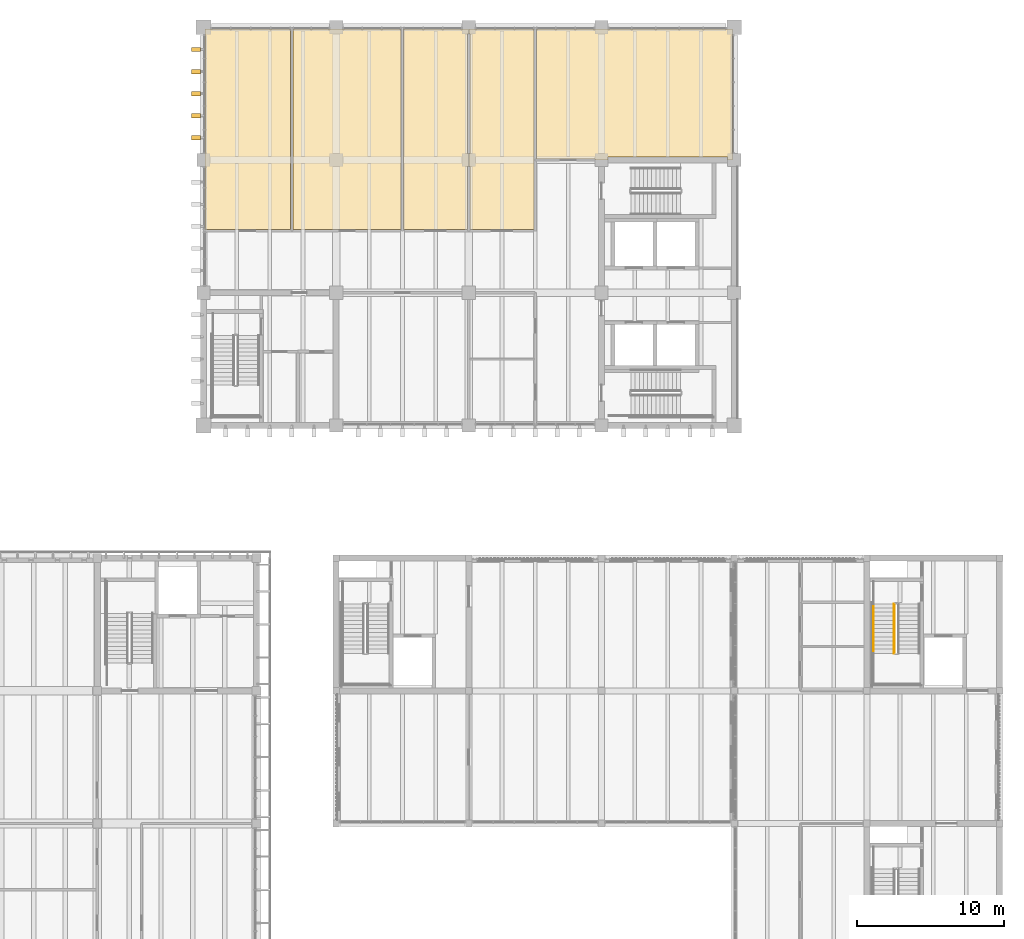
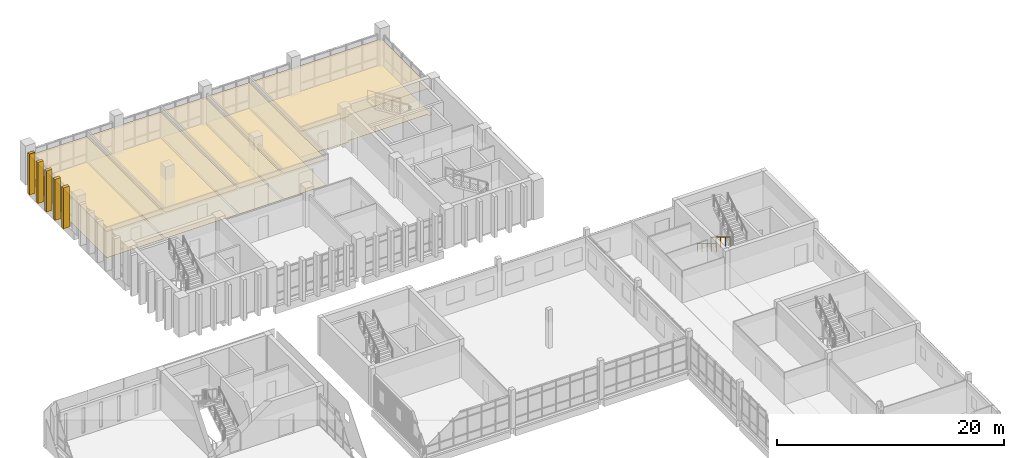
# One storey, part 87 of 88: 10 coverings, 5 shading devices, 2 railings.
"""IFC4 building model written with IfcOpenShell, lengths in metres."""

from ifc_helpers import new_model, si_unit, direction, frame, origin, origin_2d, place, context, subcontext, project, spatial, polyline, circle, outline, extrude, source, transform, mapped, material, layer, layer_set, type_object, element, save


model = new_model("IFC4")

# Units and contexts
model_context = context("Model", 3, precision=1e-05, world=origin(), true_north=direction((0.0, 1.0)))
body_context = subcontext(model_context, "Body", "Model", "MODEL_VIEW")
ifc_project = project(units=[si_unit("LENGTHUNIT", "METRE"), si_unit("AREAUNIT", "SQUARE_METRE"), si_unit("VOLUMEUNIT", "CUBIC_METRE"), si_unit("PLANEANGLEUNIT", "RADIAN"), si_unit("MASSUNIT", "GRAM", prefix="KILO")], contexts=[model_context])

# Site, building, storey
site_placement = place(None, origin())
site = spatial("IfcSite", under=ifc_project, at=site_placement, CompositionType="ELEMENT")
building_placement = place(site_placement, origin())
building = spatial("IfcBuilding", under=site, at=building_placement, Name="Merrow Basin Faculty of Sciences", CompositionType="ELEMENT")
storey_placement = place(building_placement, frame((0.0, 0.0, 9.0)))
storey = spatial("IfcBuildingStorey", under=building, at=storey_placement, Name="L02", CompositionType="ELEMENT", Elevation=9.0)

# Coverings
ifc_material_1 = material(Name="Carpet tile floor")
ifc_layer_1 = layer(ifc_material_1, 0.02001953125)
ifc_layer_set_1 = layer_set([ifc_layer_1], Name="Carpet tile floor")
covering_type_1 = type_object("IfcCoveringType", Name="Carpet tile floor", PredefinedType="FLOORING", material=ifc_layer_set_1)
covering_1_placement = place(storey_placement, origin())
element("IfcCovering", 1, at=covering_1_placement, inside=storey, type_object=covering_type_1, Name="Floor finish L02-T-019", PredefinedType="FLOORING", context=body_context, shape_type="SweptSolid", body=[
    extrude(outline(polyline([(53.889892578125, 168.889892578125), (53.889892578125, 160.010009765625), (53.56005859375, 160.010009765625), (53.56005859375, 160.2099609375), (45.43994140625, 160.2099609375), (45.43994140625, 160.010009765625), (44.56005859375, 160.010009765625), (44.56005859375, 160.0849609375), (40.5849609375, 160.0849609375), (40.5849609375, 168.889892578125), (53.889892578125, 168.889892578125)])), origin(), (0.0, 0.0, 1.0), 0.02001953125),
])
ifc_material_2 = material(Name="Laboratory sheet vinyl floor")
ifc_layer_2 = layer(ifc_material_2, 0.02001953125)
ifc_layer_set_2 = layer_set([ifc_layer_2], Name="Laboratory sheet vinyl floor")
covering_type_2 = type_object("IfcCoveringType", Name="Laboratory sheet vinyl floor", PredefinedType="FLOORING", material=ifc_layer_set_2)
covering_2_placement = place(storey_placement, origin())
element("IfcCovering", 2, at=covering_2_placement, inside=storey, type_object=covering_type_2, Name="Floor finish L02-T-014", PredefinedType="FLOORING", context=body_context, shape_type="SweptSolid", body=[
    extrude(outline(polyline([(18.110107421875, 168.889892578125), (23.9150390625, 168.889892578125), (23.9150390625, 155.284912109375), (18.110107421875, 155.284912109375), (18.110107421875, 168.889892578125)])), origin(), (0.0, 0.0, 1.0), 0.02001953125),
])
covering_3_placement = place(storey_placement, origin())
element("IfcCovering", 3, at=covering_3_placement, inside=storey, type_object=covering_type_2, Name="Floor finish L02-T-015", PredefinedType="FLOORING", context=body_context, shape_type="SweptSolid", body=[
    extrude(outline(polyline([(31.4150390625, 168.889892578125), (31.4150390625, 155.284912109375), (24.0849609375, 155.284912109375), (24.0849609375, 168.889892578125), (31.4150390625, 168.889892578125)])), origin(), (0.0, 0.0, 1.0), 0.02001953125),
])
covering_4_placement = place(storey_placement, origin())
element("IfcCovering", 4, at=covering_4_placement, inside=storey, type_object=covering_type_2, Name="Floor finish L02-T-016", PredefinedType="FLOORING", context=body_context, shape_type="SweptSolid", body=[
    extrude(outline(polyline([(35.989990234375, 168.889892578125), (35.989990234375, 168.56005859375), (35.9150390625, 168.56005859375), (35.9150390625, 160.43994140625), (35.989990234375, 160.43994140625), (35.989990234375, 159.56005859375), (35.9150390625, 159.56005859375), (35.9150390625, 155.284912109375), (31.5849609375, 155.284912109375), (31.5849609375, 168.889892578125), (35.989990234375, 168.889892578125)])), origin(), (0.0, 0.0, 1.0), 0.02001953125),
])
covering_5_placement = place(storey_placement, origin())
element("IfcCovering", 5, at=covering_5_placement, inside=storey, type_object=covering_type_2, Name="Floor finish L02-T-017", PredefinedType="FLOORING", context=body_context, shape_type="SweptSolid", body=[
    extrude(outline(polyline([(36.010009765625, 160.43994140625), (36.0849609375, 160.43994140625), (36.0849609375, 168.56005859375), (36.010009765625, 168.56005859375), (36.010009765625, 168.889892578125), (40.4150390625, 168.889892578125), (40.4150390625, 155.284912109375), (36.0849609375, 155.284912109375), (36.0849609375, 159.56005859375), (36.010009765625, 159.56005859375), (36.010009765625, 160.43994140625)])), origin(), (0.0, 0.0, 1.0), 0.02001953125),
])

# Railings
ifc_material_3 = material(Name="Steel ASTM A36", Category="steel")
railing_type_1 = type_object("IfcRailingType", Name="Steel guard 1100", PredefinedType="GUARDRAIL", material=ifc_material_3)
railing_1_placement = place(storey_placement, frame((64.85009765625, 129.89990234375, 0.173095703125)))
element("IfcRailing", 6, at=railing_1_placement, inside=storey, type_object=railing_type_1, Name="L02 ST-V2-N stair guard 1", PredefinedType="GUARDRAIL", context=body_context, shape_type="SweptSolid", body=[
    extrude(circle(Radius=0.02392578125, at=origin_2d()), frame((0.0, 0.0, 1.076171875), z_axis=(0.0, -0.850606129759, 0.525803396734), x_axis=(1.0, 0.0, 0.0)), (0.0, 0.0, 1.0), 3.949951171875),
    extrude(circle(Radius=0.02099609375, at=origin_2d()), origin(), (0.0, 0.0, 1.0), 1.052001953125),
    extrude(circle(Radius=0.02099609375, at=origin_2d()), frame((0.0, -0.83984375, 0.519287109375)), (0.0, 0.0, 1.0), 1.052001953125),
    extrude(circle(Radius=0.02099609375, at=origin_2d()), frame((0.0, -1.679931640625, 1.03857421875)), (0.0, 0.0, 1.0), 1.052001953125),
    extrude(circle(Radius=0.02099609375, at=origin_2d()), frame((0.0, -2.52001953125, 1.5576171875)), (0.0, 0.0, 1.0), 1.052001953125),
    extrude(circle(Radius=0.02099609375, at=origin_2d()), frame((0.0, -3.35986328125, 2.076904296875)), (0.0, 0.0, 1.0), 1.052001953125),
])
ifc_material_4 = material(Name="Steel ASTM A36", Category="steel")
railing_type_2 = type_object("IfcRailingType", Name="Steel handrail 900", PredefinedType="HANDRAIL", material=ifc_material_4)
railing_2_placement = place(storey_placement, frame((63.449951171875, 129.89990234375, 0.173095703125)))
element("IfcRailing", 7, at=railing_2_placement, inside=storey, type_object=railing_type_2, Name="L02 ST-V2-N stair handrail 1", PredefinedType="HANDRAIL", context=body_context, shape_type="SweptSolid", body=[
    extrude(circle(Radius=0.02392578125, at=origin_2d()), frame((0.0, 0.0, 0.8759765625), z_axis=(0.0, -0.850606129759, 0.525803396734), x_axis=(1.0, 0.0, 0.0)), (0.0, 0.0, 1.0), 3.949951171875),
    extrude(circle(Radius=0.02099609375, at=origin_2d()), origin(), (0.0, 0.0, 1.0), 0.851806640625),
    extrude(circle(Radius=0.02099609375, at=origin_2d()), frame((0.0, -0.83984375, 0.519287109375)), (0.0, 0.0, 1.0), 0.851806640625),
    extrude(circle(Radius=0.02099609375, at=origin_2d()), frame((0.0, -1.679931640625, 1.03857421875)), (0.0, 0.0, 1.0), 0.851806640625),
    extrude(circle(Radius=0.02099609375, at=origin_2d()), frame((0.0, -2.52001953125, 1.5576171875)), (0.0, 0.0, 1.0), 0.851806640625),
    extrude(circle(Radius=0.02099609375, at=origin_2d()), frame((0.0, -3.35986328125, 2.076904296875)), (0.0, 0.0, 1.0), 0.851806640625),
])

# Coverings
ifc_material_5 = material(Name="Mineral fibre ceiling tile")
ifc_layer_3 = layer(ifc_material_5, 0.050048828125)
ifc_layer_set_3 = layer_set([ifc_layer_3], Name="Suspended acoustic ceiling tile")
covering_type_3 = type_object("IfcCoveringType", Name="Suspended acoustic ceiling tile", PredefinedType="CEILING", material=ifc_layer_set_3)
covering_6_placement = place(storey_placement, frame((0.0, 0.0, 2.75)))
element("IfcCovering", 8, at=covering_6_placement, inside=storey, type_object=covering_type_3, Name="Ceiling L02-T-014", PredefinedType="CEILING", context=body_context, shape_type="SweptSolid", body=[
    extrude(outline(polyline([(18.110107421875, 168.889892578125), (23.9150390625, 168.889892578125), (23.9150390625, 155.284912109375), (18.110107421875, 155.284912109375), (18.110107421875, 168.889892578125)])), origin(), (0.0, 0.0, 1.0), 0.050048828125),
])
covering_7_placement = place(storey_placement, frame((0.0, 0.0, 2.75)))
element("IfcCovering", 9, at=covering_7_placement, inside=storey, type_object=covering_type_3, Name="Ceiling L02-T-015", PredefinedType="CEILING", context=body_context, shape_type="SweptSolid", body=[
    extrude(outline(polyline([(31.4150390625, 168.889892578125), (31.4150390625, 155.284912109375), (24.0849609375, 155.284912109375), (24.0849609375, 168.889892578125), (31.4150390625, 168.889892578125)])), origin(), (0.0, 0.0, 1.0), 0.050048828125),
])
covering_8_placement = place(storey_placement, frame((0.0, 0.0, 2.75)))
element("IfcCovering", 10, at=covering_8_placement, inside=storey, type_object=covering_type_3, Name="Ceiling L02-T-016", PredefinedType="CEILING", context=body_context, shape_type="SweptSolid", body=[
    extrude(outline(polyline([(35.989990234375, 168.889892578125), (35.989990234375, 168.56005859375), (35.9150390625, 168.56005859375), (35.9150390625, 160.43994140625), (35.989990234375, 160.43994140625), (35.989990234375, 159.56005859375), (35.9150390625, 159.56005859375), (35.9150390625, 155.284912109375), (31.5849609375, 155.284912109375), (31.5849609375, 168.889892578125), (35.989990234375, 168.889892578125)])), origin(), (0.0, 0.0, 1.0), 0.050048828125),
])
covering_9_placement = place(storey_placement, frame((0.0, 0.0, 2.75)))
element("IfcCovering", 11, at=covering_9_placement, inside=storey, type_object=covering_type_3, Name="Ceiling L02-T-017", PredefinedType="CEILING", context=body_context, shape_type="SweptSolid", body=[
    extrude(outline(polyline([(36.010009765625, 160.43994140625), (36.0849609375, 160.43994140625), (36.0849609375, 168.56005859375), (36.010009765625, 168.56005859375), (36.010009765625, 168.889892578125), (40.4150390625, 168.889892578125), (40.4150390625, 155.284912109375), (36.0849609375, 155.284912109375), (36.0849609375, 159.56005859375), (36.010009765625, 159.56005859375), (36.010009765625, 160.43994140625)])), origin(), (0.0, 0.0, 1.0), 0.050048828125),
])
covering_10_placement = place(storey_placement, frame((0.0, 0.0, 2.75)))
element("IfcCovering", 12, at=covering_10_placement, inside=storey, type_object=covering_type_3, Name="Ceiling L02-T-019", PredefinedType="CEILING", context=body_context, shape_type="SweptSolid", body=[
    extrude(outline(polyline([(53.889892578125, 168.889892578125), (53.889892578125, 160.010009765625), (53.56005859375, 160.010009765625), (53.56005859375, 160.2099609375), (45.43994140625, 160.2099609375), (45.43994140625, 160.010009765625), (44.56005859375, 160.010009765625), (44.56005859375, 160.0849609375), (40.5849609375, 160.0849609375), (40.5849609375, 168.889892578125), (53.889892578125, 168.889892578125)])), origin(), (0.0, 0.0, 1.0), 0.050048828125),
])

# Shading devices
ifc_material_6 = material(Name="White precast concrete C50/60", Category="concrete")
shading_device_type = type_object("IfcShadingDeviceType", Name="White precast fin 300 x 600", PredefinedType="USERDEFINED", material=ifc_material_6)
shared_shape = source(origin(), body_context, "Body", "SweptSolid", [
    extrude(outline(polyline([(0.0, 0.0), (0.300048828125, 0.0), (0.300048828125, 4.39990234375), (0.0, 4.39990234375), (0.0, 0.0)])), origin(), (0.0, 0.0, 1.0), 0.60009765625),
])
for number, where, z_axis, x_axis, name in (
    (13, (17.800048828125, 161.64990234375, -0.25), (-1.0, 0.0, 0.0), (0.0, -1.0, 0.0), "Brise-soleil fin WL02"),
    (14, (17.800048828125, 163.14990234375, -0.25), (-1.0, 0.0, 0.0), (0.0, -1.0, 0.0), "Brise-soleil fin WL02"),
    (15, (17.800048828125, 164.64990234375, -0.25), (-1.0, 0.0, 0.0), (0.0, -1.0, 0.0), "Brise-soleil fin WL02"),
    (16, (17.800048828125, 166.14990234375, -0.25), (-1.0, 0.0, 0.0), (0.0, -1.0, 0.0), "Brise-soleil fin WL02"),
    (17, (17.800048828125, 167.64990234375, -0.25), (-1.0, 0.0, 0.0), (0.0, -1.0, 0.0), "Brise-soleil fin WL02"),
):
    element("IfcShadingDevice", number, at=place(storey_placement, frame(where, z_axis=z_axis, x_axis=x_axis)), inside=storey, type_object=shading_device_type, Name=name, ObjectType="FIN", PredefinedType="USERDEFINED", context=body_context, shape_type="MappedRepresentation", body=[
        mapped(shared_shape, transform((0.0, 0.0, 0.0), scale=1.0)),
    ])

save(model, "model.ifc")
